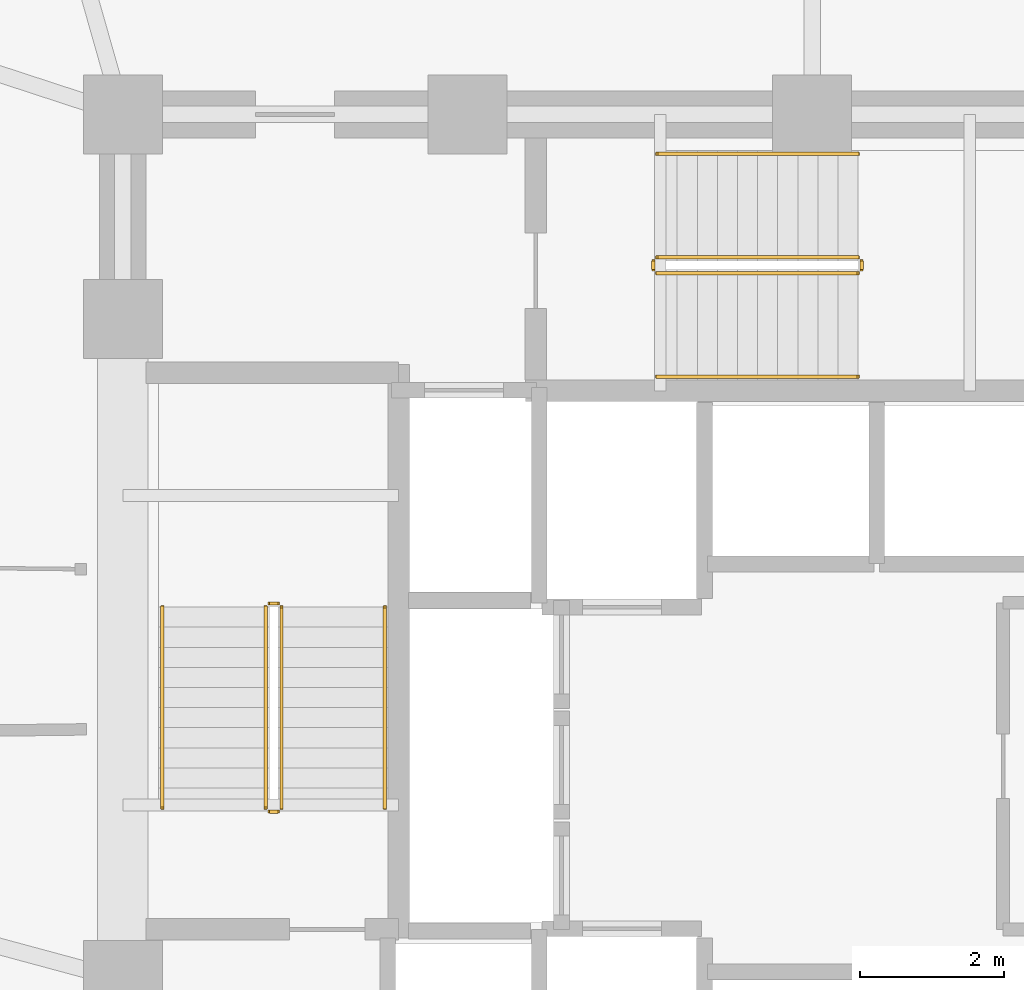
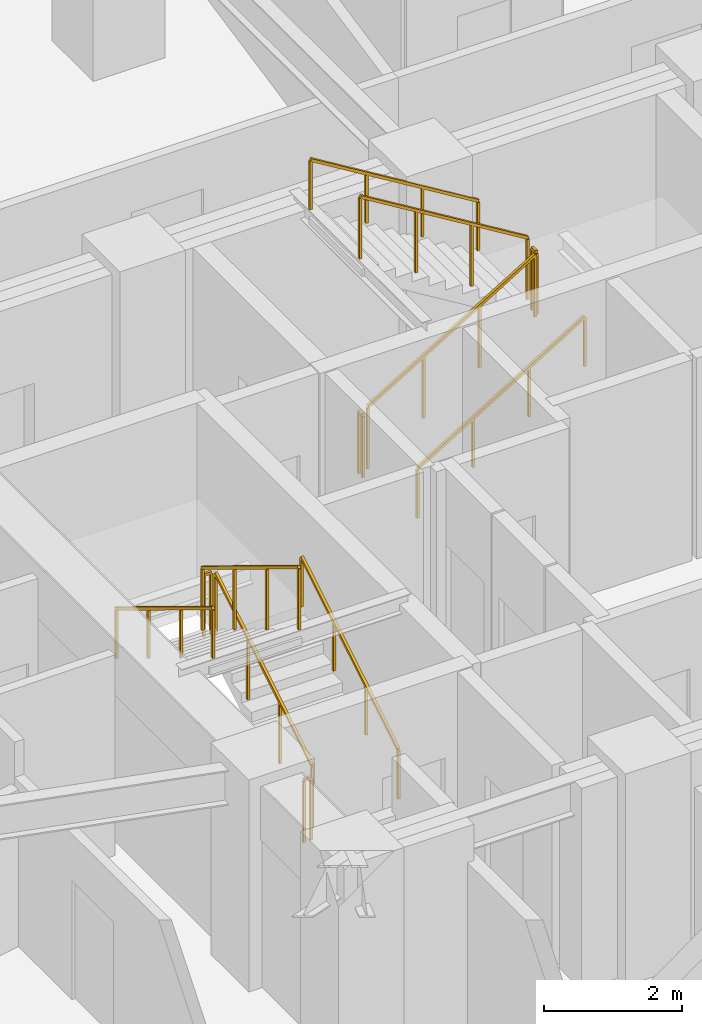
# One storey, part 29 of 31: 12 railings.
"""IFC4 building model written with IfcOpenShell, lengths in metres."""

import ifcopenshell
import ifcopenshell.guid

model = None  # the IFC model being written
_history = None  # IfcOwnerHistory: only IFC2X3 demands one
_inside = {}  # id of a spatial element -> (the spatial element, [elements in it])
_under = {}  # id of a project, library or spatial element -> (it, [spatial elements below it])
_declared = {}  # id of a project -> (the project, [libraries it declares])
_typed = {}  # id of a type object -> (the type object, [elements of that type])
_made_of = {}  # id of a material, layer set ... -> (it, [elements and type objects made of it])


def new_model(schema):
    """Start an empty IFC model of exactly this schema.

    Asked for "IFC4X3", IfcOpenShell would pick the latest addendum, in which some entities
    have other attributes; the version numbers below select the first issue.
    IFC2X3 requires an IfcOwnerHistory on every rooted entity: one is made here for all.
    """
    global model, _history
    if schema == "IFC4X3":
        model = ifcopenshell.file(schema_version=(4, 3, 0, 0))
    else:
        model = ifcopenshell.file(schema=schema)
    _inside.clear()
    _under.clear()
    _declared.clear()
    _typed.clear()
    _made_of.clear()
    _history = None
    if model.schema == "IFC2X3":
        org = make("IfcOrganization", Name="unknown")
        user = make(
            "IfcPersonAndOrganization",
            ThePerson=make("IfcPerson", FamilyName="unknown"),
            TheOrganization=org,
        )
        app = make(
            "IfcApplication",
            ApplicationDeveloper=org,
            Version="unknown",
            ApplicationFullName="unknown",
            ApplicationIdentifier="unknown",
        )
        _history = make(
            "IfcOwnerHistory",
            OwningUser=user,
            OwningApplication=app,
            ChangeAction="ADDED",
            CreationDate=0,
        )
    return model


def make(cls, **values):
    """One entity of the class cls with the attributes given. An attribute that is None is left unset."""
    return model.create_entity(
        cls, **{name: value for name, value in values.items() if value is not None}
    )


def rooted(cls, **values):
    """An entity with a GlobalId (a new one), such as an element, a storey or a relation."""
    return make(cls, GlobalId=ifcopenshell.guid.new(), OwnerHistory=_history, **values)


def si_unit(unit_type, name, prefix=None):
    """IfcSIUnit, for example si_unit("LENGTHUNIT", "METRE", prefix="MILLI")."""
    return make("IfcSIUnit", UnitType=unit_type, Prefix=prefix, Name=name)


def assignment(units):
    """IfcUnitAssignment: the units of a project."""
    return None if units is None else make("IfcUnitAssignment", Units=units)


def point(xyz):
    """IfcCartesianPoint."""
    return None if xyz is None else make("IfcCartesianPoint", Coordinates=xyz)


def direction(xyz):
    """IfcDirection."""
    return None if xyz is None else make("IfcDirection", DirectionRatios=xyz)


def frame(location, z_axis=None, x_axis=None):
    """IfcAxis2Placement3D, a coordinate frame: its origin and axes. An axis left out is left unset."""
    return make(
        "IfcAxis2Placement3D",
        Location=point(location),
        Axis=direction(z_axis),
        RefDirection=direction(x_axis),
    )


def frame_2d(location, x_axis=None):
    """IfcAxis2Placement2D, a coordinate frame in the plane: its origin and x axis."""
    return make(
        "IfcAxis2Placement2D", Location=point(location), RefDirection=direction(x_axis)
    )


def origin():
    """The frame at (0, 0, 0) with its axes left unset."""
    return frame((0.0, 0.0, 0.0))


def origin_2d():
    """The frame at (0, 0) in the plane with its x axis left unset."""
    return frame_2d((0.0, 0.0))


def place(relative_to, where):
    """IfcLocalPlacement: puts the frame where relative to a parent placement (None: the world)."""
    return make(
        "IfcLocalPlacement", PlacementRelTo=relative_to, RelativePlacement=where
    )


def context(
    kind, dimensions, precision=None, world=None, true_north=None, identifier=None
):
    """IfcGeometricRepresentationContext, for example the 3D "Model" context."""
    return make(
        "IfcGeometricRepresentationContext",
        ContextIdentifier=identifier,
        ContextType=kind,
        CoordinateSpaceDimension=dimensions,
        Precision=precision,
        WorldCoordinateSystem=world,
        TrueNorth=true_north,
    )


def subcontext(parent, identifier, kind, view, scale=None):
    """IfcGeometricRepresentationSubContext, for example "Body" below "Model"."""
    return make(
        "IfcGeometricRepresentationSubContext",
        ContextIdentifier=identifier,
        ContextType=kind,
        ParentContext=parent,
        TargetScale=scale,
        TargetView=view,
    )


def project(units=None, contexts=None):
    """IfcProject with its units and contexts."""
    return rooted(
        "IfcProject",
        Name="project",
        RepresentationContexts=contexts,
        UnitsInContext=assignment(units),
    )


def spatial(cls, under=None, at=None, **own):
    """A site, building, storey or space (cls), placed at a placement, below another one or the project."""
    s = rooted(cls, ObjectPlacement=at, **own)
    if under is not None:
        _under.setdefault(under.id(), (under, []))[1].append(s)
    return s


def profile(cls, at=None, kind="AREA", **sizes):
    """A parametric profile (cls). Its sizes go by their IFC names, for example OverallWidth=200.0."""
    return make(cls, ProfileType=kind, Position=at, **sizes)


def rectangle(**sizes):
    """IfcRectangleProfileDef."""
    return profile("IfcRectangleProfileDef", **sizes)


def extrude(swept, where, along, depth):
    """IfcExtrudedAreaSolid: the profile swept, set in the frame where, extruded along a direction by depth."""
    return make(
        "IfcExtrudedAreaSolid",
        SweptArea=swept,
        Position=where,
        ExtrudedDirection=direction(along),
        Depth=depth,
    )


def shape(context_of_items, identifier, shape_type, items):
    """IfcShapeRepresentation: the items that make up one representation, for example the "Body"."""
    return make(
        "IfcShapeRepresentation",
        ContextOfItems=context_of_items,
        RepresentationIdentifier=identifier,
        RepresentationType=shape_type,
        Items=items,
    )


def material(Name=None, Category=None):
    """IfcMaterial."""
    return make("IfcMaterial", Name=Name, Category=Category)


def made_of(thing, what):
    """Note that an element or type object is made of a material, layer set ...; save() writes the relation."""
    if what is not None:
        _made_of.setdefault(what.id(), (what, []))[1].append(thing)
    return thing


def type_object(cls, material=None, **own):
    """A type object (cls), such as IfcWallType, which elements share."""
    return made_of(rooted(cls, **own), material)


def element(
    cls,
    number,
    at=None,
    inside=None,
    cuts=None,
    type_object=None,
    material=None,
    context=None,
    identifier="Body",
    shape_type=None,
    held_by="IfcProductDefinitionShape",
    body=None,
    shapes=None,
    **own,
):
    """One element of the class cls, such as IfcWall. Its Tag is "e" and its number.

    at: its placement. inside: the storey or other place that contains it. cuts: it is an
    opening in that element (IfcRelVoidsElement). A single representation is given by context,
    identifier, shape_type and body (its items); several are given by shapes. held_by: the class
    of the entity that holds the representations. save() writes the other relations.
    """
    e = rooted(cls, Tag="e%d" % number, ObjectPlacement=at, **own)
    if body is not None:
        shapes = [shape(context, identifier, shape_type, body)]
    if shapes is not None:
        e.Representation = make(held_by, Representations=shapes)
    if inside is not None:
        _inside.setdefault(inside.id(), (inside, []))[1].append(e)
    if cuts is not None:
        rooted(
            "IfcRelVoidsElement", RelatingBuildingElement=cuts, RelatedOpeningElement=e
        )
    if type_object is not None:
        _typed.setdefault(type_object.id(), (type_object, []))[1].append(e)
    return made_of(e, material)


def aggregate(whole, parts):
    """IfcRelAggregates: a whole, such as a stair, and the parts it consists of."""
    return rooted("IfcRelAggregates", RelatingObject=whole, RelatedObjects=parts)


def save(model, path):
    """Write the relations noted so far, then the file.

    IfcRelAggregates (storeys below a building ...), IfcRelContainedInSpatialStructure (elements
    in a storey), IfcRelDefinesByType, IfcRelAssociatesMaterial and IfcRelDeclares: one each for
    every whole, place, type object, material and project.
    """
    for whole, parts in _under.values():
        aggregate(whole, parts)
    for where, things in _inside.values():
        rooted(
            "IfcRelContainedInSpatialStructure",
            RelatedElements=things,
            RelatingStructure=where,
        )
    for kind, things in _typed.values():
        rooted("IfcRelDefinesByType", RelatedObjects=things, RelatingType=kind)
    for what, things in _made_of.values():
        rooted("IfcRelAssociatesMaterial", RelatedObjects=things, RelatingMaterial=what)
    for by, libraries in _declared.values():
        rooted("IfcRelDeclares", RelatingContext=by, RelatedDefinitions=libraries)
    model.write(path)


model = new_model("IFC4")

# Units and contexts
model_context = context("Model", 3, precision=1e-05, world=origin(), true_north=direction((0.0, 1.0)))
body_context = subcontext(model_context, "Body", "Model", "MODEL_VIEW")
ifc_project = project(units=[si_unit("LENGTHUNIT", "METRE"), si_unit("AREAUNIT", "SQUARE_METRE"), si_unit("VOLUMEUNIT", "CUBIC_METRE"), si_unit("PLANEANGLEUNIT", "RADIAN"), si_unit("MASSUNIT", "GRAM", prefix="KILO")], contexts=[model_context])

# Site, building, storey
site_placement = place(None, origin())
site = spatial("IfcSite", under=ifc_project, at=site_placement, CompositionType="ELEMENT")
building_placement = place(site_placement, origin())
building = spatial("IfcBuilding", under=site, at=building_placement, Name="Vantalir Tower", CompositionType="ELEMENT")
storey_placement = place(building_placement, frame((0.0, 0.0, 42.0)))
storey = spatial("IfcBuildingStorey", under=building, at=storey_placement, Name="L09", CompositionType="ELEMENT", Elevation=42.0)

# Railings
ifc_material_1 = material(Name="Anodised aluminium and stainless steel guard", Category="steel")
railing_type_1 = type_object("IfcRailingType", Name="RAL-GUARD-1120", PredefinedType="GUARDRAIL", material=ifc_material_1)
railing_1_placement = place(storey_placement, frame((24.110107421875, 22.7900390625, 0.17041015625)))
element("IfcRailing", 1, at=railing_1_placement, inside=storey, type_object=railing_type_1, Name="L09 ST1 stair guard 1", PredefinedType="GUARDRAIL", context=body_context, shape_type="SweptSolid", body=[
    extrude(rectangle(XDim=0.048095703125, YDim=0.048095703125, at=origin_2d()), frame((0.0, 0.0, 1.09619140625), z_axis=(0.0, 0.854169791009, 0.51999420009), x_axis=(-1.0, 0.0, 0.0)), (0.0, 0.0, 1.0), 3.278076171875),
    extrude(rectangle(XDim=0.0419921875, YDim=0.0419921875, at=origin_2d()), origin(), (0.0, 0.0, 1.0), 1.072021484375),
    extrude(rectangle(XDim=0.0419921875, YDim=0.0419921875, at=origin_2d()), frame((0.0, 0.933349609375, 0.568115234375)), (0.0, 0.0, 1.0), 1.072021484375),
    extrude(rectangle(XDim=0.0419921875, YDim=0.0419921875, at=origin_2d()), frame((0.0, 1.86669921875, 1.136474609375)), (0.0, 0.0, 1.0), 1.072021484375),
    extrude(rectangle(XDim=0.0419921875, YDim=0.0419921875, at=origin_2d()), frame((0.0, 2.800048828125, 1.70458984375)), (0.0, 0.0, 1.0), 1.072021484375),
])
railing_2_placement = place(storey_placement, frame((24.06005859375, 25.639892578125, 1.875)))
element("IfcRailing", 2, at=railing_2_placement, inside=storey, type_object=railing_type_1, Name="L09 ST1 stair guard 2", PredefinedType="GUARDRAIL", context=body_context, shape_type="SweptSolid", body=[
    extrude(rectangle(XDim=0.048095703125, YDim=0.048095703125, at=origin_2d()), frame((0.0, 0.0, 1.09619140625), z_axis=(-1.0, 0.0, 0.0), x_axis=(0.0, -1.0, 0.0)), (0.0, 0.0, 1.0), 0.1201171875),
    extrude(rectangle(XDim=0.0419921875, YDim=0.0419921875, at=origin_2d()), origin(), (0.0, 0.0, 1.0), 1.072021484375),
    extrude(rectangle(XDim=0.0419921875, YDim=0.0419921875, at=origin_2d()), frame((-0.1201171875, 0.0, 0.0)), (0.0, 0.0, 1.0), 1.072021484375),
])
railing_3_placement = place(storey_placement, frame((23.889892578125, 25.590087890625, 2.04541015625)))
element("IfcRailing", 3, at=railing_3_placement, inside=storey, type_object=railing_type_1, Name="L09 ST1 stair guard 3", PredefinedType="GUARDRAIL", context=body_context, shape_type="SweptSolid", body=[
    extrude(rectangle(XDim=0.048095703125, YDim=0.048095703125, at=origin_2d()), frame((0.0, 0.0, 1.09619140625), z_axis=(0.0, -0.854169791009, 0.51999420009), x_axis=(1.0, 0.0, 0.0)), (0.0, 0.0, 1.0), 3.278076171875),
    extrude(rectangle(XDim=0.0419921875, YDim=0.0419921875, at=origin_2d()), origin(), (0.0, 0.0, 1.0), 1.072021484375),
    extrude(rectangle(XDim=0.0419921875, YDim=0.0419921875, at=origin_2d()), frame((0.0, -0.933349609375, 0.568115234375)), (0.0, 0.0, 1.0), 1.072021484375),
    extrude(rectangle(XDim=0.0419921875, YDim=0.0419921875, at=origin_2d()), frame((0.0, -1.86669921875, 1.136474609375)), (0.0, 0.0, 1.0), 1.072021484375),
    extrude(rectangle(XDim=0.0419921875, YDim=0.0419921875, at=origin_2d()), frame((0.0, -2.800048828125, 1.70458984375)), (0.0, 0.0, 1.0), 1.072021484375),
])
railing_4_placement = place(storey_placement, frame((24.06005859375, 22.739990234375, 0.0)))
element("IfcRailing", 4, at=railing_4_placement, inside=storey, type_object=railing_type_1, Name="L09 ST1 stair guard 4", PredefinedType="GUARDRAIL", context=body_context, shape_type="SweptSolid", body=[
    extrude(rectangle(XDim=0.048095703125, YDim=0.048095703125, at=origin_2d()), frame((0.0, 0.0, 1.09619140625), z_axis=(-1.0, 0.0, 0.0), x_axis=(0.0, -1.0, 0.0)), (0.0, 0.0, 1.0), 0.1201171875),
    extrude(rectangle(XDim=0.0419921875, YDim=0.0419921875, at=origin_2d()), origin(), (0.0, 0.0, 1.0), 1.072021484375),
    extrude(rectangle(XDim=0.0419921875, YDim=0.0419921875, at=origin_2d()), frame((-0.1201171875, 0.0, 0.0)), (0.0, 0.0, 1.0), 1.072021484375),
])
railing_5_placement = place(storey_placement, frame((29.340087890625, 30.239990234375, 0.17041015625)))
element("IfcRailing", 5, at=railing_5_placement, inside=storey, type_object=railing_type_1, Name="L09 ST3 stair guard 1", PredefinedType="GUARDRAIL", context=body_context, shape_type="SweptSolid", body=[
    extrude(rectangle(XDim=0.048095703125, YDim=0.048095703125, at=origin_2d()), frame((0.0, 0.0, 1.09619140625), z_axis=(0.854149651119, 0.0, 0.520027281489), x_axis=(0.0, 1.0, 0.0)), (0.0, 0.0, 1.0), 3.27783203125),
    extrude(rectangle(XDim=0.0419921875, YDim=0.0419921875, at=origin_2d()), origin(), (0.0, 0.0, 1.0), 1.072021484375),
    extrude(rectangle(XDim=0.0419921875, YDim=0.0419921875, at=origin_2d()), frame((0.933349609375, 0.0, 0.568115234375)), (0.0, 0.0, 1.0), 1.072021484375),
    extrude(rectangle(XDim=0.0419921875, YDim=0.0419921875, at=origin_2d()), frame((1.866455078125, 0.0, 1.136474609375)), (0.0, 0.0, 1.0), 1.072021484375),
    extrude(rectangle(XDim=0.0419921875, YDim=0.0419921875, at=origin_2d()), frame((2.7998046875, 0.0, 1.70458984375)), (0.0, 0.0, 1.0), 1.072021484375),
])
railing_6_placement = place(storey_placement, frame((32.18994140625, 30.2900390625, 1.875)))
element("IfcRailing", 6, at=railing_6_placement, inside=storey, type_object=railing_type_1, Name="L09 ST3 stair guard 2", PredefinedType="GUARDRAIL", context=body_context, shape_type="SweptSolid", body=[
    extrude(rectangle(XDim=0.048095703125, YDim=0.048095703125, at=origin_2d()), frame((0.0, 0.0, 1.09619140625), z_axis=(0.0, 1.0, 0.0), x_axis=(-1.0, 0.0, 0.0)), (0.0, 0.0, 1.0), 0.119873046875),
    extrude(rectangle(XDim=0.0419921875, YDim=0.0419921875, at=origin_2d()), origin(), (0.0, 0.0, 1.0), 1.072021484375),
    extrude(rectangle(XDim=0.0419921875, YDim=0.0419921875, at=origin_2d()), frame((0.0, 0.119873046875, 0.0)), (0.0, 0.0, 1.0), 1.072021484375),
])
railing_7_placement = place(storey_placement, frame((32.139892578125, 30.4599609375, 2.04541015625)))
element("IfcRailing", 7, at=railing_7_placement, inside=storey, type_object=railing_type_1, Name="L09 ST3 stair guard 3", PredefinedType="GUARDRAIL", context=body_context, shape_type="SweptSolid", body=[
    extrude(rectangle(XDim=0.048095703125, YDim=0.048095703125, at=origin_2d()), frame((0.0, 0.0, 1.09619140625), z_axis=(-0.854149651119, 0.0, 0.520027281489), x_axis=(0.0, -1.0, 0.0)), (0.0, 0.0, 1.0), 3.27783203125),
    extrude(rectangle(XDim=0.0419921875, YDim=0.0419921875, at=origin_2d()), origin(), (0.0, 0.0, 1.0), 1.072021484375),
    extrude(rectangle(XDim=0.0419921875, YDim=0.0419921875, at=origin_2d()), frame((-0.933349609375, 0.0, 0.568115234375)), (0.0, 0.0, 1.0), 1.072021484375),
    extrude(rectangle(XDim=0.0419921875, YDim=0.0419921875, at=origin_2d()), frame((-1.866455078125, 0.0, 1.136474609375)), (0.0, 0.0, 1.0), 1.072021484375),
    extrude(rectangle(XDim=0.0419921875, YDim=0.0419921875, at=origin_2d()), frame((-2.7998046875, 0.0, 1.70458984375)), (0.0, 0.0, 1.0), 1.072021484375),
])
railing_8_placement = place(storey_placement, frame((29.2900390625, 30.2900390625, 0.0)))
element("IfcRailing", 8, at=railing_8_placement, inside=storey, type_object=railing_type_1, Name="L09 ST3 stair guard 4", PredefinedType="GUARDRAIL", context=body_context, shape_type="SweptSolid", body=[
    extrude(rectangle(XDim=0.048095703125, YDim=0.048095703125, at=origin_2d()), frame((0.0, 0.0, 1.09619140625), z_axis=(0.0, 1.0, 0.0), x_axis=(-1.0, 0.0, 0.0)), (0.0, 0.0, 1.0), 0.119873046875),
    extrude(rectangle(XDim=0.0419921875, YDim=0.0419921875, at=origin_2d()), origin(), (0.0, 0.0, 1.0), 1.072021484375),
    extrude(rectangle(XDim=0.0419921875, YDim=0.0419921875, at=origin_2d()), frame((0.0, 0.119873046875, 0.0)), (0.0, 0.0, 1.0), 1.072021484375),
])
ifc_material_2 = material(Name="Brushed stainless steel tubular handrail", Category="steel")
railing_type_2 = type_object("IfcRailingType", Name="RAL-HANDRAIL-900", PredefinedType="HANDRAIL", material=ifc_material_2)
railing_9_placement = place(storey_placement, frame((25.550048828125, 22.7900390625, 0.17041015625)))
element("IfcRailing", 9, at=railing_9_placement, inside=storey, type_object=railing_type_2, Name="L09 ST1 stair handrail 1", PredefinedType="HANDRAIL", context=body_context, shape_type="SweptSolid", body=[
    extrude(rectangle(XDim=0.048095703125, YDim=0.048095703125, at=origin_2d()), frame((0.0, 0.0, 0.8759765625), z_axis=(0.0, 0.854169791009, 0.51999420009), x_axis=(-1.0, 0.0, 0.0)), (0.0, 0.0, 1.0), 3.278076171875),
    extrude(rectangle(XDim=0.0419921875, YDim=0.0419921875, at=origin_2d()), origin(), (0.0, 0.0, 1.0), 0.851806640625),
    extrude(rectangle(XDim=0.0419921875, YDim=0.0419921875, at=origin_2d()), frame((0.0, 0.933349609375, 0.568115234375)), (0.0, 0.0, 1.0), 0.851806640625),
    extrude(rectangle(XDim=0.0419921875, YDim=0.0419921875, at=origin_2d()), frame((0.0, 1.86669921875, 1.136474609375)), (0.0, 0.0, 1.0), 0.851806640625),
    extrude(rectangle(XDim=0.0419921875, YDim=0.0419921875, at=origin_2d()), frame((0.0, 2.800048828125, 1.70458984375)), (0.0, 0.0, 1.0), 0.851806640625),
])
railing_10_placement = place(storey_placement, frame((22.449951171875, 25.590087890625, 2.04541015625)))
element("IfcRailing", 10, at=railing_10_placement, inside=storey, type_object=railing_type_2, Name="L09 ST1 stair handrail 2", PredefinedType="HANDRAIL", context=body_context, shape_type="SweptSolid", body=[
    extrude(rectangle(XDim=0.048095703125, YDim=0.048095703125, at=origin_2d()), frame((0.0, 0.0, 0.8759765625), z_axis=(0.0, -0.854169791009, 0.51999420009), x_axis=(1.0, 0.0, 0.0)), (0.0, 0.0, 1.0), 3.278076171875),
    extrude(rectangle(XDim=0.0419921875, YDim=0.0419921875, at=origin_2d()), origin(), (0.0, 0.0, 1.0), 0.851806640625),
    extrude(rectangle(XDim=0.0419921875, YDim=0.0419921875, at=origin_2d()), frame((0.0, -0.933349609375, 0.568115234375)), (0.0, 0.0, 1.0), 0.851806640625),
    extrude(rectangle(XDim=0.0419921875, YDim=0.0419921875, at=origin_2d()), frame((0.0, -1.86669921875, 1.136474609375)), (0.0, 0.0, 1.0), 0.851806640625),
    extrude(rectangle(XDim=0.0419921875, YDim=0.0419921875, at=origin_2d()), frame((0.0, -2.800048828125, 1.70458984375)), (0.0, 0.0, 1.0), 0.851806640625),
])
railing_11_placement = place(storey_placement, frame((29.340087890625, 28.800048828125, 0.17041015625)))
element("IfcRailing", 11, at=railing_11_placement, inside=storey, type_object=railing_type_2, Name="L09 ST3 stair handrail 1", PredefinedType="HANDRAIL", context=body_context, shape_type="SweptSolid", body=[
    extrude(rectangle(XDim=0.048095703125, YDim=0.048095703125, at=origin_2d()), frame((0.0, 0.0, 0.8759765625), z_axis=(0.854149651119, 0.0, 0.520027281489), x_axis=(0.0, 1.0, 0.0)), (0.0, 0.0, 1.0), 3.27783203125),
    extrude(rectangle(XDim=0.0419921875, YDim=0.0419921875, at=origin_2d()), origin(), (0.0, 0.0, 1.0), 0.851806640625),
    extrude(rectangle(XDim=0.0419921875, YDim=0.0419921875, at=origin_2d()), frame((0.933349609375, 0.0, 0.568115234375)), (0.0, 0.0, 1.0), 0.851806640625),
    extrude(rectangle(XDim=0.0419921875, YDim=0.0419921875, at=origin_2d()), frame((1.866455078125, 0.0, 1.136474609375)), (0.0, 0.0, 1.0), 0.851806640625),
    extrude(rectangle(XDim=0.0419921875, YDim=0.0419921875, at=origin_2d()), frame((2.7998046875, 0.0, 1.70458984375)), (0.0, 0.0, 1.0), 0.851806640625),
])
railing_12_placement = place(storey_placement, frame((32.139892578125, 31.89990234375, 2.04541015625)))
element("IfcRailing", 12, at=railing_12_placement, inside=storey, type_object=railing_type_2, Name="L09 ST3 stair handrail 2", PredefinedType="HANDRAIL", context=body_context, shape_type="SweptSolid", body=[
    extrude(rectangle(XDim=0.048095703125, YDim=0.048095703125, at=origin_2d()), frame((0.0, 0.0, 0.8759765625), z_axis=(-0.854149651119, 0.0, 0.520027281489), x_axis=(0.0, -1.0, 0.0)), (0.0, 0.0, 1.0), 3.27783203125),
    extrude(rectangle(XDim=0.0419921875, YDim=0.0419921875, at=origin_2d()), origin(), (0.0, 0.0, 1.0), 0.851806640625),
    extrude(rectangle(XDim=0.0419921875, YDim=0.0419921875, at=origin_2d()), frame((-0.933349609375, 0.0, 0.568115234375)), (0.0, 0.0, 1.0), 0.851806640625),
    extrude(rectangle(XDim=0.0419921875, YDim=0.0419921875, at=origin_2d()), frame((-1.866455078125, 0.0, 1.136474609375)), (0.0, 0.0, 1.0), 0.851806640625),
    extrude(rectangle(XDim=0.0419921875, YDim=0.0419921875, at=origin_2d()), frame((-2.7998046875, 0.0, 1.70458984375)), (0.0, 0.0, 1.0), 0.851806640625),
])

save(model, "model.ifc")
